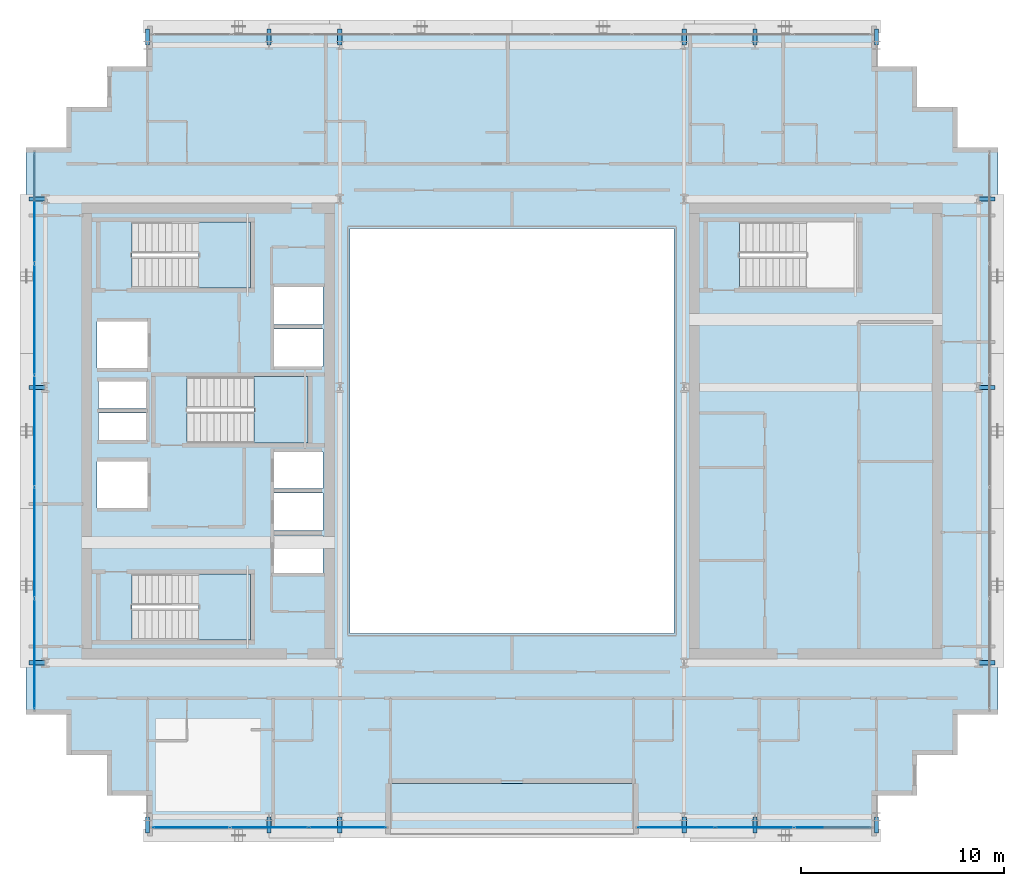
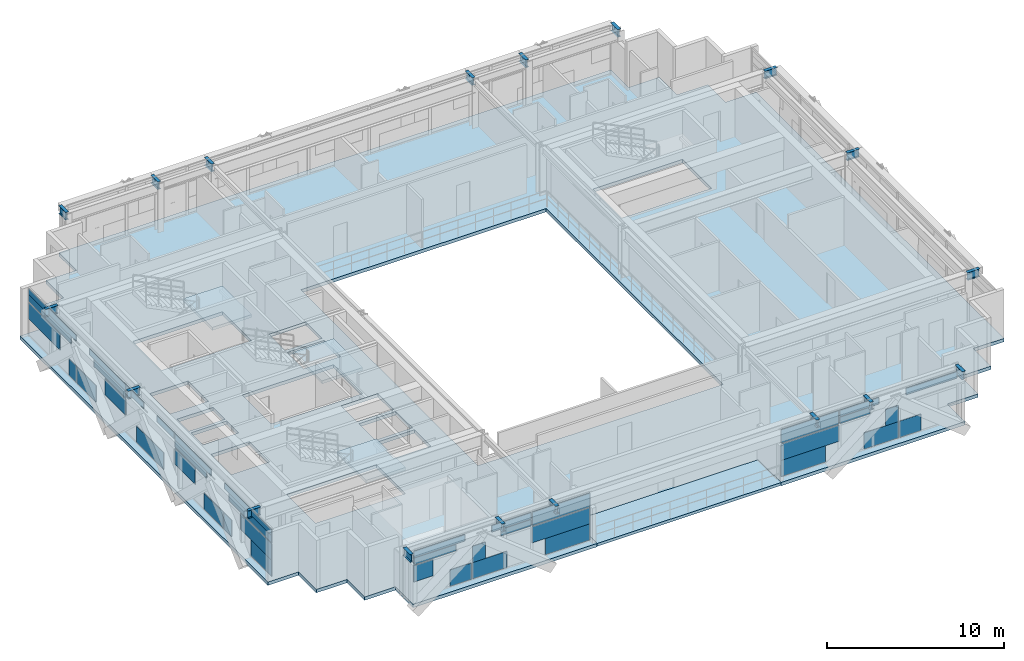
# One storey, part 20 of 31: 40 plates, 18 beams, 5 slabs, 6 elements without a shape of their own.
"""IFC4 building model written with IfcOpenShell, lengths in metres."""

from ifc_helpers import new_model, si_unit, direction, frame, origin, origin_2d, place, context, subcontext, project, spatial, polyline, rectangle, i_section, outline, extrude, source, transform, mapped, material, layer, layer_set, material_profile, profile_set, type_object, element, aggregate, save


model = new_model("IFC4")

# Units and contexts
model_context = context("Model", 3, precision=1e-05, world=origin(), true_north=direction((0.0, 1.0)))
body_context = subcontext(model_context, "Body", "Model", "MODEL_VIEW")
ifc_project = project(units=[si_unit("LENGTHUNIT", "METRE"), si_unit("AREAUNIT", "SQUARE_METRE"), si_unit("VOLUMEUNIT", "CUBIC_METRE"), si_unit("PLANEANGLEUNIT", "RADIAN"), si_unit("MASSUNIT", "GRAM", prefix="KILO")], contexts=[model_context])

# Site, building, storey
site_placement = place(None, origin())
site = spatial("IfcSite", under=ifc_project, at=site_placement, CompositionType="ELEMENT")
building_placement = place(site_placement, origin())
building = spatial("IfcBuilding", under=site, at=building_placement, Name="Ocotamira Hotel", CompositionType="ELEMENT")
storey_placement = place(building_placement, frame((0.0, 0.0, 174.0)))
storey = spatial("IfcBuildingStorey", under=building, at=storey_placement, Name="L43", CompositionType="ELEMENT", Elevation=174.0)

# Beams
ifc_material_1 = material(Name="Steel ASTM A992 Grade 50", Category="steel")
ifc_material_profile = material_profile(ifc_material_1, i_section(OverallWidth=0.2099609375, OverallDepth=0.537109375, WebThickness=0.010986328125, FlangeThickness=0.017333984375, FilletRadius=0.012939453125, at=origin_2d()), Name="W21X68")
ifc_profile_set = profile_set([ifc_material_profile], Name="Steel ASTM A992 Grade 50")
beam_type = type_object("IfcBeamType", Name="BM-SEC-W21X68", PredefinedType="JOIST", material=ifc_profile_set)
shared_shape_1 = source(origin(), body_context, "Body", "SweptSolid", [
    extrude(i_section(OverallWidth=0.2099609375, OverallDepth=0.537109375, WebThickness=0.010986328125, FlangeThickness=0.017333984375, FilletRadius=0.012939453125, at=origin_2d()), origin(), (0.0, 0.0, 1.0), 0.800048828125),
])
for number, where, z_axis, x_axis, name in (
    (1, (14.0, 6.949951171875, 3.1015625), (0.0, -1.0, 0.0), (1.0, 0.0, 0.0), "L43 South Edge Header X14"),
    (2, (14.0, 45.050048828125, 3.1015625), (0.0, 1.0, 0.0), (-1.0, 0.0, 0.0), "L43 North Edge Header X14"),
    (3, (20.0, 6.949951171875, 3.1015625), (0.0, -1.0, 0.0), (1.0, 0.0, 0.0), "L43 South Edge Header X20"),
    (4, (20.0, 45.050048828125, 3.1015625), (0.0, 1.0, 0.0), (-1.0, 0.0, 0.0), "L43 North Edge Header X20"),
    (5, (23.5, 6.949951171875, 3.1015625), (0.0, -1.0, 0.0), (1.0, 0.0, 0.0), "L43 South Edge Header X23.5"),
    (6, (23.5, 45.050048828125, 3.1015625), (0.0, 1.0, 0.0), (-1.0, 0.0, 0.0), "L43 North Edge Header X23.5"),
    (7, (40.5, 6.949951171875, 3.1015625), (0.0, -1.0, 0.0), (1.0, 0.0, 0.0), "L43 South Edge Header X40.5"),
    (8, (40.5, 45.050048828125, 3.1015625), (0.0, 1.0, 0.0), (-1.0, 0.0, 0.0), "L43 North Edge Header X40.5"),
    (9, (44.0, 6.949951171875, 3.1015625), (0.0, -1.0, 0.0), (1.0, 0.0, 0.0), "L43 South Edge Header X44"),
    (10, (44.0, 45.050048828125, 3.1015625), (0.0, 1.0, 0.0), (-1.0, 0.0, 0.0), "L43 North Edge Header X44"),
    (11, (50.0, 6.949951171875, 3.1015625), (0.0, -1.0, 0.0), (1.0, 0.0, 0.0), "L43 South Edge Header X50"),
    (12, (50.0, 45.050048828125, 3.1015625), (0.0, 1.0, 0.0), (-1.0, 0.0, 0.0), "L43 North Edge Header X50"),
    (13, (8.949951171875, 14.550048828125, 3.1015625), (-1.0, 0.0, 0.0), (0.0, -1.0, 0.0), "L43 West Edge Header Y14.55"),
    (14, (55.050048828125, 14.550048828125, 3.1015625), (1.0, 0.0, 0.0), (0.0, 1.0, 0.0), "L43 East Edge Header Y14.55"),
    (15, (8.949951171875, 28.14990234375, 3.1015625), (-1.0, 0.0, 0.0), (0.0, -1.0, 0.0), "L43 West Edge Header Y28.15"),
    (16, (55.050048828125, 28.14990234375, 3.1015625), (1.0, 0.0, 0.0), (0.0, 1.0, 0.0), "L43 East Edge Header Y28.15"),
    (17, (8.949951171875, 37.449951171875, 3.1015625), (-1.0, 0.0, 0.0), (0.0, -1.0, 0.0), "L43 West Edge Header Y37.45"),
    (18, (55.050048828125, 37.449951171875, 3.1015625), (1.0, 0.0, 0.0), (0.0, 1.0, 0.0), "L43 East Edge Header Y37.45"),
):
    element("IfcBeam", number, at=place(storey_placement, frame(where, z_axis=z_axis, x_axis=x_axis)), inside=storey, type_object=beam_type, Name=name, PredefinedType="JOIST", context=body_context, shape_type="MappedRepresentation", body=[
        mapped(shared_shape_1, transform((0.0, 0.0, 0.0), scale=1.0)),
    ])

# Slab
ifc_material_2 = material(Name="Concrete C40/50", Category="concrete")
ifc_layer_1 = layer(ifc_material_2, 0.199951171875)
ifc_layer_set_1 = layer_set([ifc_layer_1], Name="Concrete C40/50")
slab_type_1 = type_object("IfcSlabType", Name="SLB-BAL-200", PredefinedType="FLOOR", material=ifc_layer_set_1)
slab_1_placement = place(storey_placement, frame((0.0, 0.0, -0.199951171875)))
element("IfcSlab", 19, at=slab_1_placement, inside=storey, type_object=slab_type_1, Name="L43 Outdoor Sky Terrace Slab 1", PredefinedType="FLOOR", context=body_context, shape_type="SweptSolid", body=[
    extrude(outline(polyline([(26.0, 6.0), (38.0, 6.0), (38.0, 8.60009765625), (26.0, 8.60009765625), (26.0, 6.0)])), origin(), (0.0, 0.0, 1.0), 0.199951171875),
])

# Stair, slab
stair_type = type_object("IfcStairType", Name="ST-CORE-1560", PredefinedType="HALF_TURN_STAIR", material=ifc_material_2)
stair_1_placement = place(storey_placement, origin())
stair_1 = element("IfcStair", 20, at=stair_1_placement, inside=storey, type_object=stair_type, Name="L43 Exit Stair ST-1", PredefinedType="HALF_TURN_STAIR")
ifc_layer_2 = layer(ifc_material_2, 0.199951171875)
ifc_layer_set_2 = layer_set([ifc_layer_2], Name="Concrete C40/50")
slab_type_2 = type_object("IfcSlabType", Name="SLB-LAND-200", PredefinedType="LANDING", material=ifc_layer_set_2)
slab_2_placement = place(storey_placement, frame((0.0, 0.0, 1.60009765625)))
slab_2 = element("IfcSlab", 21, at=slab_2_placement, type_object=slab_type_2, Name="ST-1 landing 1", PredefinedType="LANDING", context=body_context, shape_type="SweptSolid", body=[
    extrude(outline(polyline([(16.530029296875, 15.669921875), (19.090087890625, 15.669921875), (19.090087890625, 18.949951171875), (16.530029296875, 18.949951171875), (16.530029296875, 15.669921875)])), origin(), (0.0, 0.0, 1.0), 0.199951171875),
])
aggregate(stair_1, [slab_2])

stair_2_placement = place(storey_placement, origin())
stair_2 = element("IfcStair", 22, at=stair_2_placement, inside=storey, type_object=stair_type, Name="L43 Exit Stair ST-2", PredefinedType="HALF_TURN_STAIR")
slab_3_placement = place(storey_placement, frame((0.0, 0.0, 1.60009765625)))
slab_3 = element("IfcSlab", 23, at=slab_3_placement, type_object=slab_type_2, Name="ST-2 landing 1", PredefinedType="LANDING", context=body_context, shape_type="SweptSolid", body=[
    extrude(outline(polyline([(16.530029296875, 33.050048828125), (19.090087890625, 33.050048828125), (19.090087890625, 36.330078125), (16.530029296875, 36.330078125), (16.530029296875, 33.050048828125)])), origin(), (0.0, 0.0, 1.0), 0.199951171875),
])
aggregate(stair_2, [slab_3])

stair_3_placement = place(storey_placement, origin())
stair_3 = element("IfcStair", 24, at=stair_3_placement, inside=storey, type_object=stair_type, Name="L43 Exit Stair ST-3", PredefinedType="HALF_TURN_STAIR")
slab_4_placement = place(storey_placement, frame((0.0, 0.0, 1.60009765625)))
slab_4 = element("IfcSlab", 25, at=slab_4_placement, type_object=slab_type_2, Name="ST-3 landing 1", PredefinedType="LANDING", context=body_context, shape_type="SweptSolid", body=[
    extrude(outline(polyline([(19.260009765625, 25.39990234375), (21.919921875, 25.39990234375), (21.919921875, 28.679931640625), (19.260009765625, 28.679931640625), (19.260009765625, 25.39990234375)])), origin(), (0.0, 0.0, 1.0), 0.199951171875),
])
aggregate(stair_3, [slab_4])

# Slab
ifc_layer_3 = layer(ifc_material_2, 0.22998046875)
ifc_layer_set_3 = layer_set([ifc_layer_3], Name="Concrete C40/50")
slab_type_3 = type_object("IfcSlabType", Name="SLB-Z3-230", PredefinedType="FLOOR", material=ifc_layer_set_3)
slab_5_placement = place(storey_placement, frame((0.0, 0.0, -0.22998046875)))
element("IfcSlab", 26, at=slab_5_placement, inside=storey, type_object=slab_type_3, Name="L43 Structural Floor Slab", PredefinedType="FLOOR", context=body_context, shape_type="SweptSolid", body=[
    extrude(outline(polyline([(14.0, 6.0), (14.0, 8.0), (12.0, 8.0), (12.0, 10.0), (10.0, 10.0), (10.0, 12.0), (8.0, 12.0), (8.0, 40.0), (10.0, 40.0), (10.0, 42.0), (12.0, 42.0), (12.0, 44.0), (14.0, 44.0), (14.0, 46.0), (50.0, 46.0), (50.0, 44.0), (52.0, 44.0), (52.0, 42.0), (54.0, 42.0), (54.0, 40.0), (56.0, 40.0), (56.0, 12.0), (54.0, 12.0), (54.0, 10.0), (52.0, 10.0), (52.0, 8.0), (50.0, 8.0), (50.0, 6.0), (38.0, 6.0), (38.0, 8.60009765625), (26.0, 8.60009765625), (26.0, 6.0), (14.0, 6.0)]), holes=[polyline([(24.0, 16.0), (40.0, 16.0), (40.0, 36.0), (24.0, 36.0), (24.0, 16.0)]), polyline([(13.22998046875, 15.669921875), (19.090087890625, 15.669921875), (19.090087890625, 18.949951171875), (13.22998046875, 18.949951171875), (13.22998046875, 15.669921875)]), polyline([(13.22998046875, 33.050048828125), (19.090087890625, 33.050048828125), (19.090087890625, 36.330078125), (13.22998046875, 36.330078125), (13.22998046875, 33.050048828125)]), polyline([(15.9599609375, 25.39990234375), (21.919921875, 25.39990234375), (21.919921875, 28.679931640625), (15.9599609375, 28.679931640625), (15.9599609375, 25.39990234375)]), polyline([(43.22998046875, 33.050048828125), (49.090087890625, 33.050048828125), (49.090087890625, 36.330078125), (43.22998046875, 36.330078125), (43.22998046875, 33.050048828125)]), polyline([(20.25, 19.0), (22.659912109375, 19.0), (22.659912109375, 20.85009765625), (20.25, 20.85009765625), (20.25, 19.0)]), polyline([(20.25, 21.080078125), (22.659912109375, 21.080078125), (22.659912109375, 22.929931640625), (20.25, 22.929931640625), (20.25, 21.080078125)]), polyline([(20.25, 23.159912109375), (22.659912109375, 23.159912109375), (22.659912109375, 24.9599609375), (20.25, 24.9599609375), (20.25, 23.159912109375)]), polyline([(20.25, 29.179931640625), (22.659912109375, 29.179931640625), (22.659912109375, 31.030029296875), (20.25, 31.030029296875), (20.25, 29.179931640625)]), polyline([(20.25, 31.260009765625), (22.659912109375, 31.260009765625), (22.659912109375, 33.110107421875), (20.25, 33.110107421875), (20.25, 31.260009765625)]), polyline([(11.5, 22.199951171875), (14.0, 22.199951171875), (14.0, 24.5), (11.5, 24.5), (11.5, 22.199951171875)]), polyline([(11.5, 29.10009765625), (14.0, 29.10009765625), (14.0, 31.39990234375), (11.5, 31.39990234375), (11.5, 29.10009765625)]), polyline([(11.580078125, 25.550048828125), (13.919921875, 25.550048828125), (13.919921875, 26.89990234375), (11.580078125, 26.89990234375), (11.580078125, 25.550048828125)]), polyline([(11.580078125, 27.10009765625), (13.919921875, 27.10009765625), (13.919921875, 28.449951171875), (11.580078125, 28.449951171875), (11.580078125, 27.10009765625)])]), origin(), (0.0, 0.0, 1.0), 0.22998046875),
])

# Curtain wall, plates
ifc_material_3 = material(Name="Anodised pale-metal aluminium and solar glass", Category="aluminium")
ifc_layer_4 = layer(ifc_material_3, 0.199951171875)
ifc_layer_set_4 = layer_set([ifc_layer_4], Name="Anodised pale-metal aluminium and solar glass")
curtain_wall_type = type_object("IfcCurtainWallType", Name="CW-SYS4-Z3", PredefinedType="NOTDEFINED", material=ifc_layer_set_4)
curtain_wall_1_placement = place(storey_placement, origin())
curtain_wall_1 = element("IfcCurtainWall", 27, at=curtain_wall_1_placement, inside=storey, type_object=curtain_wall_type, Name="L43 Curtain Wall CW-4 CW-L43-S1", PredefinedType="NOTDEFINED")
ifc_material_4 = material(Name="Double-silver low-E insulated solar glass", Category="glass")
ifc_layer_5 = layer(ifc_material_4, 0.031982421875)
ifc_layer_set_5 = layer_set([ifc_layer_5], Name="Double-silver low-E insulated solar glass")
plate_type = type_object("IfcPlateType", Name="CWP-VISION-32", PredefinedType="CURTAIN_PANEL", material=ifc_layer_set_5)
shared_shape_2 = source(origin(), body_context, "Body", "SweptSolid", [
    extrude(rectangle(XDim=1.251953125, YDim=0.031982421875, at=origin_2d()), origin(), (0.0, 0.0, 1.0), 1.118896484375),
])
plate_1_placement = place(storey_placement, frame((14.906005859375, 6.419921875, 1.19384765625), z_axis=(0.0, 0.0, 1.0), x_axis=(1.0, 0.0, 0.0)))
plate_1 = element("IfcPlate", 28, at=plate_1_placement, type_object=plate_type, Name="CW-4 panel 1.1.1", PredefinedType="CURTAIN_PANEL", context=body_context, shape_type="MappedRepresentation", body=[
    mapped(shared_shape_2, transform((0.0, 0.0, 0.0), scale=1.0)),
])
shared_shape_3 = source(origin(), body_context, "Body", "SweptSolid", [
    extrude(rectangle(XDim=1.390869140625, YDim=0.031982421875, at=origin_2d()), origin(), (0.0, 0.0, 1.0), 1.118896484375),
])
plate_2_placement = place(storey_placement, frame((17.347900390625, 6.419921875, 0.0751953125), z_axis=(0.0, 0.0, 1.0), x_axis=(1.0, 0.0, 0.0)))
plate_2 = element("IfcPlate", 29, at=plate_2_placement, type_object=plate_type, Name="CW-4 panel 1.1.2", PredefinedType="CURTAIN_PANEL", context=body_context, shape_type="MappedRepresentation", body=[
    mapped(shared_shape_3, transform((0.0, 0.0, 0.0), scale=1.0)),
])

# Curtain wall, plate
curtain_wall_2_placement = place(storey_placement, origin())
curtain_wall_2 = element("IfcCurtainWall", 30, at=curtain_wall_2_placement, inside=storey, type_object=curtain_wall_type, Name="L43 Curtain Wall CW-4 CW-L43-S2", PredefinedType="NOTDEFINED")
plate_3_placement = place(storey_placement, frame((46.652099609375, 6.419921875, 0.0751953125), z_axis=(0.0, 0.0, 1.0), x_axis=(1.0, 0.0, 0.0)))
plate_3 = element("IfcPlate", 31, at=plate_3_placement, type_object=plate_type, Name="CW-4 panel 3.1.1", PredefinedType="CURTAIN_PANEL", context=body_context, shape_type="MappedRepresentation", body=[
    mapped(shared_shape_3, transform((0.0, 0.0, 0.0), scale=1.0)),
])

# Plate
shared_shape_4 = source(origin(), body_context, "Body", "SweptSolid", [
    extrude(rectangle(XDim=2.744140625, YDim=0.031982421875, at=origin_2d()), origin(), (0.0, 0.0, 1.0), 0.443603515625),
])
plate_4_placement = place(storey_placement, frame((15.652099609375, 6.419921875, 2.3876953125), z_axis=(0.0, 0.0, 1.0), x_axis=(1.0, 0.0, 0.0)))
plate_4 = element("IfcPlate", 32, at=plate_4_placement, type_object=plate_type, Name="CW-4 panel 1.2.1", PredefinedType="CURTAIN_PANEL", context=body_context, shape_type="MappedRepresentation", body=[
    mapped(shared_shape_4, transform((0.0, 0.0, 0.0), scale=1.0)),
])

shared_shape_5 = source(origin(), body_context, "Body", "SweptSolid", [
    extrude(rectangle(XDim=3.337646484375, YDim=0.031982421875, at=origin_2d()), origin(), (0.0, 0.0, 1.0), 0.4326171875),
])
plate_5_placement = place(storey_placement, frame((15.94873046875, 6.419921875, 2.8623046875), z_axis=(0.0, 0.0, 1.0), x_axis=(1.0, 0.0, 0.0)))
plate_5 = element("IfcPlate", 33, at=plate_5_placement, type_object=plate_type, Name="CW-4 panel 1.2.2", PredefinedType="CURTAIN_PANEL", context=body_context, shape_type="MappedRepresentation", body=[
    mapped(shared_shape_5, transform((0.0, 0.0, 0.0), scale=1.0)),
])

plate_6_placement = place(storey_placement, frame((48.05126953125, 6.419921875, 2.8623046875), z_axis=(0.0, 0.0, 1.0), x_axis=(1.0, 0.0, 0.0)))
plate_6 = element("IfcPlate", 34, at=plate_6_placement, type_object=plate_type, Name="CW-4 panel 3.2.1", PredefinedType="CURTAIN_PANEL", context=body_context, shape_type="MappedRepresentation", body=[
    mapped(shared_shape_5, transform((0.0, 0.0, 0.0), scale=1.0)),
])

shared_shape_6 = source(origin(), body_context, "Body", "SweptSolid", [
    extrude(rectangle(XDim=2.22412109375, YDim=0.031982421875, at=origin_2d()), origin(), (0.0, 0.0, 1.0), 1.118896484375),
])
plate_7_placement = place(storey_placement, frame((19.2353515625, 6.419921875, 0.0751953125), z_axis=(0.0, 0.0, 1.0), x_axis=(1.0, 0.0, 0.0)))
plate_7 = element("IfcPlate", 35, at=plate_7_placement, type_object=plate_type, Name="CW-4 panel 2.1.1", PredefinedType="CURTAIN_PANEL", context=body_context, shape_type="MappedRepresentation", body=[
    mapped(shared_shape_6, transform((0.0, 0.0, 0.0), scale=1.0)),
])

plate_8_placement = place(storey_placement, frame((44.7646484375, 6.419921875, 0.0751953125), z_axis=(0.0, 0.0, 1.0), x_axis=(1.0, 0.0, 0.0)))
plate_8 = element("IfcPlate", 36, at=plate_8_placement, type_object=plate_type, Name="CW-4 panel 2.1.1", PredefinedType="CURTAIN_PANEL", context=body_context, shape_type="MappedRepresentation", body=[
    mapped(shared_shape_6, transform((0.0, 0.0, 0.0), scale=1.0)),
])

shared_shape_7 = source(origin(), body_context, "Body", "SweptSolid", [
    extrude(rectangle(XDim=0.82568359375, YDim=0.031982421875, at=origin_2d()), origin(), (0.0, 0.0, 1.0), 1.118896484375),
])
plate_9_placement = place(storey_placement, frame((18.5361328125, 6.419921875, 1.19384765625), z_axis=(0.0, 0.0, 1.0), x_axis=(1.0, 0.0, 0.0)))
plate_9 = element("IfcPlate", 37, at=plate_9_placement, type_object=plate_type, Name="CW-4 panel 2.1.2", PredefinedType="CURTAIN_PANEL", context=body_context, shape_type="MappedRepresentation", body=[
    mapped(shared_shape_7, transform((0.0, 0.0, 0.0), scale=1.0)),
])

plate_10_placement = place(storey_placement, frame((45.4638671875, 6.419921875, 1.19384765625), z_axis=(0.0, 0.0, 1.0), x_axis=(1.0, 0.0, 0.0)))
plate_10 = element("IfcPlate", 38, at=plate_10_placement, type_object=plate_type, Name="CW-4 panel 2.1.2", PredefinedType="CURTAIN_PANEL", context=body_context, shape_type="MappedRepresentation", body=[
    mapped(shared_shape_7, transform((0.0, 0.0, 0.0), scale=1.0)),
])

shared_shape_8 = source(origin(), body_context, "Body", "SweptSolid", [
    extrude(rectangle(XDim=2.544189453125, YDim=0.031982421875, at=origin_2d()), origin(), (0.0, 0.0, 1.0), 0.4326171875),
])
plate_11_placement = place(storey_placement, frame((20.654541015625, 6.419921875, 2.8623046875), z_axis=(0.0, 0.0, 1.0), x_axis=(1.0, 0.0, 0.0)))
plate_11 = element("IfcPlate", 39, at=plate_11_placement, type_object=plate_type, Name="CW-4 panel 2.2.1", PredefinedType="CURTAIN_PANEL", context=body_context, shape_type="MappedRepresentation", body=[
    mapped(shared_shape_8, transform((0.0, 0.0, 0.0), scale=1.0)),
])

plate_12_placement = place(storey_placement, frame((43.345458984375, 6.419921875, 2.8623046875), z_axis=(0.0, 0.0, 1.0), x_axis=(1.0, 0.0, 0.0)))
plate_12 = element("IfcPlate", 40, at=plate_12_placement, type_object=plate_type, Name="CW-4 panel 2.2.2", PredefinedType="CURTAIN_PANEL", context=body_context, shape_type="MappedRepresentation", body=[
    mapped(shared_shape_8, transform((0.0, 0.0, 0.0), scale=1.0)),
])

shared_shape_9 = source(origin(), body_context, "Body", "SweptSolid", [
    extrude(rectangle(XDim=1.95068359375, YDim=0.031982421875, at=origin_2d()), origin(), (0.0, 0.0, 1.0), 0.443603515625),
])
plate_13_placement = place(storey_placement, frame((20.951416015625, 6.419921875, 2.3876953125), z_axis=(0.0, 0.0, 1.0), x_axis=(1.0, 0.0, 0.0)))
plate_13 = element("IfcPlate", 41, at=plate_13_placement, type_object=plate_type, Name="CW-4 panel 2.2.2", PredefinedType="CURTAIN_PANEL", context=body_context, shape_type="MappedRepresentation", body=[
    mapped(shared_shape_9, transform((0.0, 0.0, 0.0), scale=1.0)),
])

plate_14_placement = place(storey_placement, frame((43.048583984375, 6.419921875, 2.3876953125), z_axis=(0.0, 0.0, 1.0), x_axis=(1.0, 0.0, 0.0)))
plate_14 = element("IfcPlate", 42, at=plate_14_placement, type_object=plate_type, Name="CW-4 panel 2.2.1", PredefinedType="CURTAIN_PANEL", context=body_context, shape_type="MappedRepresentation", body=[
    mapped(shared_shape_9, transform((0.0, 0.0, 0.0), scale=1.0)),
])

shared_shape_10 = source(origin(), body_context, "Body", "SweptSolid", [
    extrude(rectangle(XDim=3.76318359375, YDim=0.031982421875, at=origin_2d()), origin(), (0.0, 0.0, 1.0), 1.118896484375),
])
plate_15_placement = place(storey_placement, frame((23.88818359375, 6.419921875, 1.19384765625), z_axis=(0.0, 0.0, 1.0), x_axis=(1.0, 0.0, 0.0)))
plate_15 = element("IfcPlate", 43, at=plate_15_placement, type_object=plate_type, Name="CW-4 panel 3.1.1", PredefinedType="CURTAIN_PANEL", context=body_context, shape_type="MappedRepresentation", body=[
    mapped(shared_shape_10, transform((0.0, 0.0, 0.0), scale=1.0)),
])

plate_16_placement = place(storey_placement, frame((40.11181640625, 6.419921875, 1.19384765625), z_axis=(0.0, 0.0, 1.0), x_axis=(1.0, 0.0, 0.0)))
plate_16 = element("IfcPlate", 44, at=plate_16_placement, type_object=plate_type, Name="CW-4 panel 1.1.2", PredefinedType="CURTAIN_PANEL", context=body_context, shape_type="MappedRepresentation", body=[
    mapped(shared_shape_10, transform((0.0, 0.0, 0.0), scale=1.0)),
])

shared_shape_11 = source(origin(), body_context, "Body", "SweptSolid", [
    extrude(rectangle(XDim=2.903564453125, YDim=0.031982421875, at=origin_2d()), origin(), (0.0, 0.0, 1.0), 1.118896484375),
])
plate_17_placement = place(storey_placement, frame((24.318359375, 6.419921875, 0.0751953125), z_axis=(0.0, 0.0, 1.0), x_axis=(1.0, 0.0, 0.0)))
plate_17 = element("IfcPlate", 45, at=plate_17_placement, type_object=plate_type, Name="CW-4 panel 3.1.2", PredefinedType="CURTAIN_PANEL", context=body_context, shape_type="MappedRepresentation", body=[
    mapped(shared_shape_11, transform((0.0, 0.0, 0.0), scale=1.0)),
])

plate_18_placement = place(storey_placement, frame((39.681640625, 6.419921875, 0.0751953125), z_axis=(0.0, 0.0, 1.0), x_axis=(1.0, 0.0, 0.0)))
plate_18 = element("IfcPlate", 46, at=plate_18_placement, type_object=plate_type, Name="CW-4 panel 1.1.1", PredefinedType="CURTAIN_PANEL", context=body_context, shape_type="MappedRepresentation", body=[
    mapped(shared_shape_11, transform((0.0, 0.0, 0.0), scale=1.0)),
])

shared_shape_12 = source(origin(), body_context, "Body", "SweptSolid", [
    extrude(rectangle(XDim=3.763427734375, YDim=0.031982421875, at=origin_2d()), origin(), (0.0, 0.0, 1.0), 0.907470703125),
])
plate_19_placement = place(storey_placement, frame((23.888427734375, 6.419921875, 2.3876953125), z_axis=(0.0, 0.0, 1.0), x_axis=(1.0, 0.0, 0.0)))
plate_19 = element("IfcPlate", 47, at=plate_19_placement, type_object=plate_type, Name="CW-4 panel 3.2", PredefinedType="CURTAIN_PANEL", context=body_context, shape_type="MappedRepresentation", body=[
    mapped(shared_shape_12, transform((0.0, 0.0, 0.0), scale=1.0)),
])

aggregate(curtain_wall_1, [plate_1, plate_2, plate_4, plate_5, plate_7, plate_9, plate_11, plate_13, plate_15, plate_17, plate_19])

plate_20_placement = place(storey_placement, frame((40.111572265625, 6.419921875, 2.3876953125), z_axis=(0.0, 0.0, 1.0), x_axis=(1.0, 0.0, 0.0)))
plate_20 = element("IfcPlate", 48, at=plate_20_placement, type_object=plate_type, Name="CW-4 panel 1.2", PredefinedType="CURTAIN_PANEL", context=body_context, shape_type="MappedRepresentation", body=[
    mapped(shared_shape_12, transform((0.0, 0.0, 0.0), scale=1.0)),
])

aggregate(curtain_wall_2, [plate_18, plate_16, plate_20, plate_8, plate_10, plate_14, plate_12, plate_3, plate_6])

# Curtain wall, plates
curtain_wall_3_placement = place(storey_placement, origin())
curtain_wall_3 = element("IfcCurtainWall", 49, at=curtain_wall_3_placement, inside=storey, type_object=curtain_wall_type, Name="L43 Curtain Wall CW-4 CW-L43-W", PredefinedType="NOTDEFINED")
shared_shape_13 = source(origin(), body_context, "Body", "SweptSolid", [
    extrude(rectangle(XDim=2.348388671875, YDim=0.031982421875, at=origin_2d()), origin(), (0.0, 0.0, 1.0), 1.118896484375),
])
plate_21_placement = place(storey_placement, frame((8.419921875, 13.4541015625, 0.0751953125), z_axis=(0.0, 0.0, 1.0), x_axis=(0.0, 1.0, 0.0)))
plate_21 = element("IfcPlate", 50, at=plate_21_placement, type_object=plate_type, Name="CW-4 panel 1.1.1", PredefinedType="CURTAIN_PANEL", context=body_context, shape_type="MappedRepresentation", body=[
    mapped(shared_shape_13, transform((0.0, 0.0, 0.0), scale=1.0)),
])
shared_shape_14 = source(origin(), body_context, "Body", "SweptSolid", [
    extrude(rectangle(XDim=3.534423828125, YDim=0.031982421875, at=origin_2d()), origin(), (0.0, 0.0, 1.0), 1.118896484375),
])
plate_22_placement = place(storey_placement, frame((8.419921875, 14.047119140625, 1.19384765625), z_axis=(0.0, 0.0, 1.0), x_axis=(0.0, 1.0, 0.0)))
plate_22 = element("IfcPlate", 51, at=plate_22_placement, type_object=plate_type, Name="CW-4 panel 1.1.2", PredefinedType="CURTAIN_PANEL", context=body_context, shape_type="MappedRepresentation", body=[
    mapped(shared_shape_14, transform((0.0, 0.0, 0.0), scale=1.0)),
])
plate_23_placement = place(storey_placement, frame((8.419921875, 37.952880859375, 1.19384765625), z_axis=(0.0, 0.0, 1.0), x_axis=(0.0, 1.0, 0.0)))
plate_23 = element("IfcPlate", 52, at=plate_23_placement, type_object=plate_type, Name="CW-4 panel 5.1.2", PredefinedType="CURTAIN_PANEL", context=body_context, shape_type="MappedRepresentation", body=[
    mapped(shared_shape_14, transform((0.0, 0.0, 0.0), scale=1.0)),
])
shared_shape_15 = source(origin(), body_context, "Body", "SweptSolid", [
    extrude(rectangle(XDim=0.845458984375, YDim=0.031982421875, at=origin_2d()), origin(), (0.0, 0.0, 1.0), 1.118896484375),
])
plate_24_placement = place(storey_placement, frame((8.419921875, 17.25732421875, 0.0751953125), z_axis=(0.0, 0.0, 1.0), x_axis=(0.0, 1.0, 0.0)))
plate_24 = element("IfcPlate", 53, at=plate_24_placement, type_object=plate_type, Name="CW-4 panel 1.1.3", PredefinedType="CURTAIN_PANEL", context=body_context, shape_type="MappedRepresentation", body=[
    mapped(shared_shape_15, transform((0.0, 0.0, 0.0), scale=1.0)),
])
plate_25_placement = place(storey_placement, frame((8.419921875, 34.74267578125, 0.0751953125), z_axis=(0.0, 0.0, 1.0), x_axis=(0.0, 1.0, 0.0)))
plate_25 = element("IfcPlate", 54, at=plate_25_placement, type_object=plate_type, Name="CW-4 panel 5.1.1", PredefinedType="CURTAIN_PANEL", context=body_context, shape_type="MappedRepresentation", body=[
    mapped(shared_shape_15, transform((0.0, 0.0, 0.0), scale=1.0)),
])
shared_shape_16 = source(origin(), body_context, "Body", "SweptSolid", [
    extrude(rectangle(XDim=4.7998046875, YDim=0.031982421875, at=origin_2d()), origin(), (0.0, 0.0, 1.0), 0.4951171875),
])
plate_26_placement = place(storey_placement, frame((8.419921875, 14.679931640625, 2.387451171875), z_axis=(0.0, 0.0, 1.0), x_axis=(0.0, 1.0, 0.0)))
plate_26 = element("IfcPlate", 55, at=plate_26_placement, type_object=plate_type, Name="CW-4 panel 1.2.1", PredefinedType="CURTAIN_PANEL", context=body_context, shape_type="MappedRepresentation", body=[
    mapped(shared_shape_16, transform((0.0, 0.0, 0.0), scale=1.0)),
])
plate_27_placement = place(storey_placement, frame((8.419921875, 37.320068359375, 2.387451171875), z_axis=(0.0, 0.0, 1.0), x_axis=(0.0, 1.0, 0.0)))
plate_27 = element("IfcPlate", 56, at=plate_27_placement, type_object=plate_type, Name="CW-4 panel 5.2.2", PredefinedType="CURTAIN_PANEL", context=body_context, shape_type="MappedRepresentation", body=[
    mapped(shared_shape_16, transform((0.0, 0.0, 0.0), scale=1.0)),
])
shared_shape_17 = source(origin(), body_context, "Body", "SweptSolid", [
    extrude(rectangle(XDim=5.32470703125, YDim=0.031982421875, at=origin_2d()), origin(), (0.0, 0.0, 1.0), 0.41259765625),
])
plate_28_placement = place(storey_placement, frame((8.419921875, 14.9423828125, 2.882568359375), z_axis=(0.0, 0.0, 1.0), x_axis=(0.0, 1.0, 0.0)))
plate_28 = element("IfcPlate", 57, at=plate_28_placement, type_object=plate_type, Name="CW-4 panel 1.2.2", PredefinedType="CURTAIN_PANEL", context=body_context, shape_type="MappedRepresentation", body=[
    mapped(shared_shape_17, transform((0.0, 0.0, 0.0), scale=1.0)),
])
plate_29_placement = place(storey_placement, frame((8.419921875, 37.0576171875, 2.882568359375), z_axis=(0.0, 0.0, 1.0), x_axis=(0.0, 1.0, 0.0)))
plate_29 = element("IfcPlate", 58, at=plate_29_placement, type_object=plate_type, Name="CW-4 panel 5.2.1", PredefinedType="CURTAIN_PANEL", context=body_context, shape_type="MappedRepresentation", body=[
    mapped(shared_shape_17, transform((0.0, 0.0, 0.0), scale=1.0)),
])
shared_shape_18 = source(origin(), body_context, "Body", "SweptSolid", [
    extrude(rectangle(XDim=2.138671875, YDim=0.031982421875, at=origin_2d()), origin(), (0.0, 0.0, 1.0), 1.118896484375),
])
plate_30_placement = place(storey_placement, frame((8.419921875, 18.829345703125, 0.0751953125), z_axis=(0.0, 0.0, 1.0), x_axis=(0.0, 1.0, 0.0)))
plate_30 = element("IfcPlate", 59, at=plate_30_placement, type_object=plate_type, Name="CW-4 panel 2.1.1", PredefinedType="CURTAIN_PANEL", context=body_context, shape_type="MappedRepresentation", body=[
    mapped(shared_shape_18, transform((0.0, 0.0, 0.0), scale=1.0)),
])
plate_31_placement = place(storey_placement, frame((8.419921875, 33.170654296875, 0.0751953125), z_axis=(0.0, 0.0, 1.0), x_axis=(0.0, 1.0, 0.0)))
plate_31 = element("IfcPlate", 60, at=plate_31_placement, type_object=plate_type, Name="CW-4 panel 4.1.2", PredefinedType="CURTAIN_PANEL", context=body_context, shape_type="MappedRepresentation", body=[
    mapped(shared_shape_18, transform((0.0, 0.0, 0.0), scale=1.0)),
])
shared_shape_19 = source(origin(), body_context, "Body", "SweptSolid", [
    extrude(rectangle(XDim=2.281005859375, YDim=0.031982421875, at=origin_2d()), origin(), (0.0, 0.0, 1.0), 1.118896484375),
])
plate_32_placement = place(storey_placement, frame((8.419921875, 22.059326171875, 1.19384765625), z_axis=(0.0, 0.0, 1.0), x_axis=(0.0, 1.0, 0.0)))
plate_32 = element("IfcPlate", 61, at=plate_32_placement, type_object=plate_type, Name="CW-4 panel 2.1.2", PredefinedType="CURTAIN_PANEL", context=body_context, shape_type="MappedRepresentation", body=[
    mapped(shared_shape_19, transform((0.0, 0.0, 0.0), scale=1.0)),
])
plate_33_placement = place(storey_placement, frame((8.419921875, 29.940673828125, 1.19384765625), z_axis=(0.0, 0.0, 1.0), x_axis=(0.0, 1.0, 0.0)))
plate_33 = element("IfcPlate", 62, at=plate_33_placement, type_object=plate_type, Name="CW-4 panel 4.1.1", PredefinedType="CURTAIN_PANEL", context=body_context, shape_type="MappedRepresentation", body=[
    mapped(shared_shape_19, transform((0.0, 0.0, 0.0), scale=1.0)),
])
shared_shape_20 = source(origin(), body_context, "Body", "SweptSolid", [
    extrude(rectangle(XDim=4.071533203125, YDim=0.031982421875, at=origin_2d()), origin(), (0.0, 0.0, 1.0), 0.41259765625),
])
plate_34_placement = place(storey_placement, frame((8.419921875, 21.164306640625, 2.882568359375), z_axis=(0.0, 0.0, 1.0), x_axis=(0.0, 1.0, 0.0)))
plate_34 = element("IfcPlate", 63, at=plate_34_placement, type_object=plate_type, Name="CW-4 panel 2.2.1", PredefinedType="CURTAIN_PANEL", context=body_context, shape_type="MappedRepresentation", body=[
    mapped(shared_shape_20, transform((0.0, 0.0, 0.0), scale=1.0)),
])
plate_35_placement = place(storey_placement, frame((8.419921875, 30.835693359375, 2.882568359375), z_axis=(0.0, 0.0, 1.0), x_axis=(0.0, 1.0, 0.0)))
plate_35 = element("IfcPlate", 64, at=plate_35_placement, type_object=plate_type, Name="CW-4 panel 4.2.2", PredefinedType="CURTAIN_PANEL", context=body_context, shape_type="MappedRepresentation", body=[
    mapped(shared_shape_20, transform((0.0, 0.0, 0.0), scale=1.0)),
])
shared_shape_21 = source(origin(), body_context, "Body", "SweptSolid", [
    extrude(rectangle(XDim=3.546630859375, YDim=0.031982421875, at=origin_2d()), origin(), (0.0, 0.0, 1.0), 0.460693359375),
])
plate_36_placement = place(storey_placement, frame((8.419921875, 21.426513671875, 2.3876953125), z_axis=(0.0, 0.0, 1.0), x_axis=(0.0, 1.0, 0.0)))
plate_36 = element("IfcPlate", 65, at=plate_36_placement, type_object=plate_type, Name="CW-4 panel 2.2.2", PredefinedType="CURTAIN_PANEL", context=body_context, shape_type="MappedRepresentation", body=[
    mapped(shared_shape_21, transform((0.0, 0.0, 0.0), scale=1.0)),
])
plate_37_placement = place(storey_placement, frame((8.419921875, 30.573486328125, 2.3876953125), z_axis=(0.0, 0.0, 1.0), x_axis=(0.0, 1.0, 0.0)))
plate_37 = element("IfcPlate", 66, at=plate_37_placement, type_object=plate_type, Name="CW-4 panel 4.2.1", PredefinedType="CURTAIN_PANEL", context=body_context, shape_type="MappedRepresentation", body=[
    mapped(shared_shape_21, transform((0.0, 0.0, 0.0), scale=1.0)),
])
shared_shape_22 = source(origin(), body_context, "Body", "SweptSolid", [
    extrude(rectangle(XDim=3.064208984375, YDim=0.031982421875, at=origin_2d()), origin(), (0.0, 0.0, 1.0), 1.118896484375),
])
plate_38_placement = place(storey_placement, frame((8.419921875, 26.0, 0.0751953125), z_axis=(0.0, 0.0, 1.0), x_axis=(0.0, 1.0, 0.0)))
plate_38 = element("IfcPlate", 67, at=plate_38_placement, type_object=plate_type, Name="CW-4 panel 3.1.1", PredefinedType="CURTAIN_PANEL", context=body_context, shape_type="MappedRepresentation", body=[
    mapped(shared_shape_22, transform((0.0, 0.0, 0.0), scale=1.0)),
])
shared_shape_23 = source(origin(), body_context, "Body", "SweptSolid", [
    extrude(rectangle(XDim=1.958251953125, YDim=0.031982421875, at=origin_2d()), origin(), (0.0, 0.0, 1.0), 0.41259765625),
])
plate_39_placement = place(storey_placement, frame((8.419921875, 24.259033203125, 2.882568359375), z_axis=(0.0, 0.0, 1.0), x_axis=(0.0, 1.0, 0.0)))
plate_39 = element("IfcPlate", 68, at=plate_39_placement, type_object=plate_type, Name="CW-4 panel 3.2.1", PredefinedType="CURTAIN_PANEL", context=body_context, shape_type="MappedRepresentation", body=[
    mapped(shared_shape_23, transform((0.0, 0.0, 0.0), scale=1.0)),
])
plate_40_placement = place(storey_placement, frame((8.419921875, 27.740966796875, 2.882568359375), z_axis=(0.0, 0.0, 1.0), x_axis=(0.0, 1.0, 0.0)))
plate_40 = element("IfcPlate", 69, at=plate_40_placement, type_object=plate_type, Name="CW-4 panel 3.2.2", PredefinedType="CURTAIN_PANEL", context=body_context, shape_type="MappedRepresentation", body=[
    mapped(shared_shape_23, transform((0.0, 0.0, 0.0), scale=1.0)),
])
aggregate(curtain_wall_3, [plate_21, plate_22, plate_24, plate_26, plate_28, plate_30, plate_32, plate_34, plate_36, plate_38, plate_39, plate_40, plate_33, plate_31, plate_37, plate_35, plate_25, plate_23, plate_29, plate_27])

save(model, "model.ifc")
